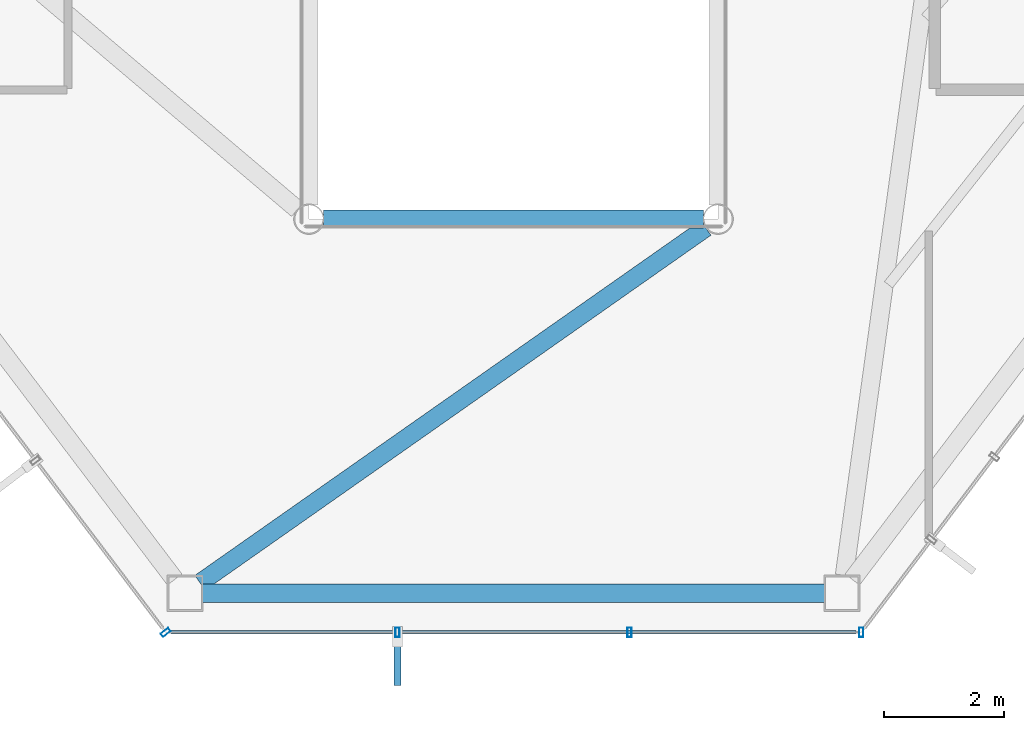
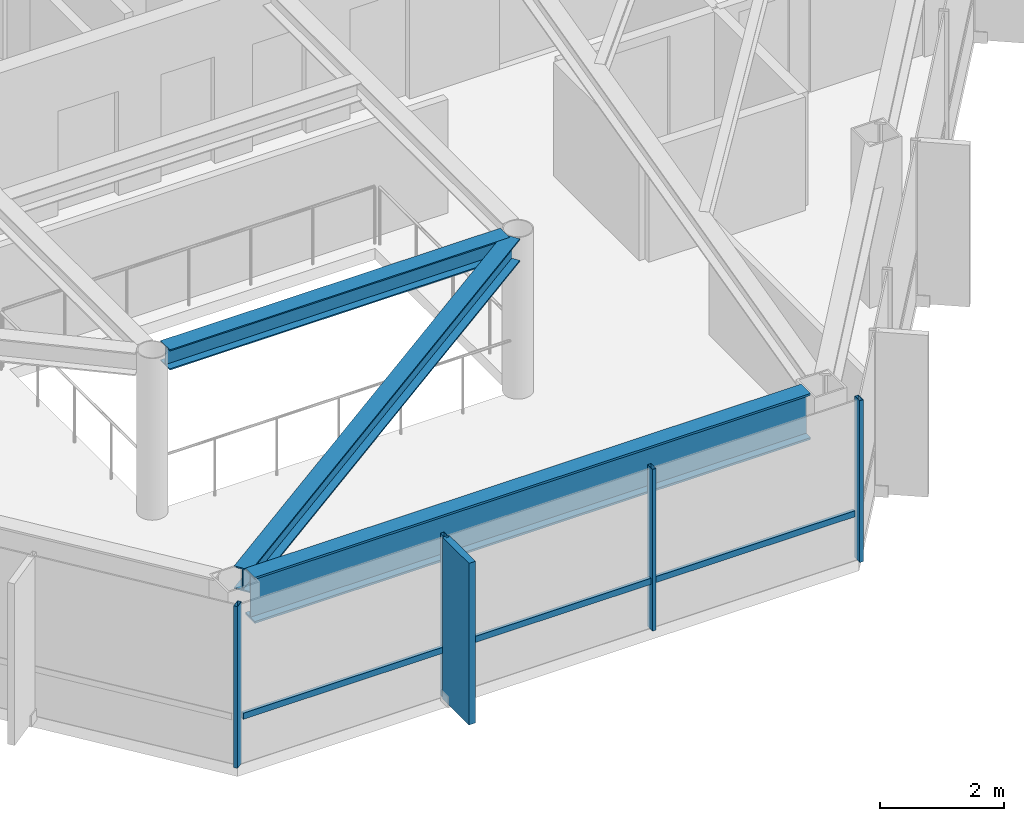
# One storey, part 7 of 27: 6 members, 3 beams, 2 elements without a shape of their own.
"""IFC4 building model written with IfcOpenShell, lengths in metres."""

from ifc_helpers import new_model, si_unit, direction, frame, origin, origin_2d, place, context, subcontext, project, spatial, rectangle, hollow_rectangle, i_section, extrude, material, layer, layer_set, material_profile, profile_set, type_object, element, aggregate, save


model = new_model("IFC4")

# Units and contexts
model_context = context("Model", 3, precision=1e-05, world=origin(), true_north=direction((0.0, 1.0)))
body_context = subcontext(model_context, "Body", "Model", "MODEL_VIEW")
ifc_project = project(units=[si_unit("LENGTHUNIT", "METRE"), si_unit("AREAUNIT", "SQUARE_METRE"), si_unit("VOLUMEUNIT", "CUBIC_METRE"), si_unit("PLANEANGLEUNIT", "RADIAN"), si_unit("MASSUNIT", "GRAM", prefix="KILO")], contexts=[model_context])

# Site, building, storey
site_placement = place(None, origin())
site = spatial("IfcSite", under=ifc_project, at=site_placement, CompositionType="ELEMENT")
building_placement = place(site_placement, origin())
building = spatial("IfcBuilding", under=site, at=building_placement, Name="Zarrinselat Tower", CompositionType="ELEMENT")
storey_placement = place(building_placement, frame((0.0, 0.0, 232.56005859375)))
storey = spatial("IfcBuildingStorey", under=building, at=storey_placement, Name="L58", CompositionType="ELEMENT", Elevation=232.56005859375)

# Beams
ifc_material_1 = material(Name="Steel S355J2", Category="steel")
ifc_material_profile_1 = material_profile(ifc_material_1, i_section(OverallWidth=0.300048828125, OverallDepth=0.39990234375, WebThickness=0.013427734375, FlangeThickness=0.02392578125, at=origin_2d()), Name="HEB 400")
ifc_profile_set_1 = profile_set([ifc_material_profile_1], Name="Steel S355J2")
beam_type_1 = type_object("IfcBeamType", Name="BM-HEB400", PredefinedType="BEAM", material=ifc_profile_set_1)
beam_1_placement = place(storey_placement, frame((35.239990234375, 25.199951171875, 2.97998046875), z_axis=(1.0, 0.0, 0.0), x_axis=(0.0, 1.0, 0.0)))
element("IfcBeam", 1, at=beam_1_placement, inside=storey, type_object=beam_type_1, Name="L58 Atrium Edge Beam S", PredefinedType="BEAM", context=body_context, shape_type="SweptSolid", body=[
    extrude(i_section(OverallWidth=0.300048828125, OverallDepth=0.39990234375, WebThickness=0.013427734375, FlangeThickness=0.02392578125, at=origin_2d()), origin(), (0.0, 0.0, 1.0), 6.320068359375),
])
ifc_material_2 = material(Name="Steel S355J2", Category="steel")
ifc_material_profile_2 = material_profile(ifc_material_2, i_section(OverallWidth=0.300048828125, OverallDepth=0.449951171875, WebThickness=0.013916015625, FlangeThickness=0.02587890625, at=origin_2d()), Name="HEB 450")
ifc_profile_set_2 = profile_set([ifc_material_profile_2], Name="Steel S355J2")
beam_type_2 = type_object("IfcBeamType", Name="BM-HEB450", PredefinedType="BEAM", material=ifc_profile_set_2)
beam_2_placement = place(storey_placement, frame((33.190185546875, 19.157470703125, 2.954833984375), z_axis=(0.818534333595, 0.574457609164, 0.0), x_axis=(-0.574457609164, 0.818534333595, 0.0)))
element("IfcBeam", 2, at=beam_2_placement, inside=storey, type_object=beam_type_2, Name="L58 Radial Primary Girder RG10", PredefinedType="BEAM", context=body_context, shape_type="SweptSolid", body=[
    extrude(i_section(OverallWidth=0.300048828125, OverallDepth=0.449951171875, WebThickness=0.013916015625, FlangeThickness=0.02587890625, at=origin_2d()), origin(), (0.0, 0.0, 1.0), 10.268798828125),
])
ifc_material_3 = material(Name="Steel S460M", Category="steel")
ifc_material_profile_3 = material_profile(ifc_material_3, i_section(OverallWidth=0.302001953125, OverallDepth=0.909912109375, WebThickness=0.02099609375, FlangeThickness=0.0400390625, at=origin_2d()), Name="HEM 900")
ifc_profile_set_3 = profile_set([ifc_material_profile_3], Name="Steel S460M")
beam_type_3 = type_object("IfcBeamType", Name="BM-HEM900", PredefinedType="BEAM", material=ifc_profile_set_3)
beam_3_placement = place(storey_placement, frame((33.23095703125, 18.98388671875, 2.724853515625), z_axis=(1.0, 0.0, 0.0), x_axis=(0.0, 1.0, 0.0)))
element("IfcBeam", 3, at=beam_3_placement, inside=storey, type_object=beam_type_3, Name="L58 Perimeter Spandrel Girder SP10", PredefinedType="BEAM", context=body_context, shape_type="SweptSolid", body=[
    extrude(i_section(OverallWidth=0.302001953125, OverallDepth=0.909912109375, WebThickness=0.02099609375, FlangeThickness=0.0400390625, at=origin_2d()), origin(), (0.0, 0.0, 1.0), 10.338134765625),
])

# Curtain wall, member
ifc_material_4 = material(Name="Extruded Aluminium Alloy EN AW-6063 T6", Category="aluminium")
ifc_layer = layer(ifc_material_4, 0.169921875)
ifc_layer_set = layer_set([ifc_layer], Name="Extruded Aluminium Alloy EN AW-6063 T6")
curtain_wall_type = type_object("IfcCurtainWallType", Name="CWS-RES", PredefinedType="NOTDEFINED", material=ifc_layer_set)
curtain_wall_1_placement = place(storey_placement, origin())
curtain_wall_1 = element("IfcCurtainWall", 4, at=curtain_wall_1_placement, inside=storey, type_object=curtain_wall_type, Name="L58 Unitised Curtain Wall CW-L58-E03", PredefinedType="NOTDEFINED")
ifc_material_5 = material(Name="Extruded Aluminium Alloy EN AW-6063 T6", Category="aluminium")
ifc_material_profile_4 = material_profile(ifc_material_5, hollow_rectangle(XDim=0.070068359375, YDim=0.159912109375, WallThickness=0.00390625, at=origin_2d()), Name="RHS 160x70x4")
ifc_profile_set_4 = profile_set([ifc_material_profile_4], Name="Extruded Aluminium Alloy EN AW-6063 T6")
member_type_1 = type_object("IfcMemberType", Name="MEM-CW-MUL2", PredefinedType="MULLION", material=ifc_profile_set_4)
member_1_placement = place(storey_placement, frame((32.6201171875, 18.333984375, 0.0), z_axis=(0.0, 0.0, 1.0), x_axis=(0.603857419315, -0.7970923517, 0.0)))
member_1 = element("IfcMember", 5, at=member_1_placement, type_object=member_type_1, Name="CW-L58-E03 Mullion 8", PredefinedType="MULLION", context=body_context, shape_type="SweptSolid", body=[
    extrude(hollow_rectangle(XDim=0.070068359375, YDim=0.159912109375, WallThickness=0.00390625, at=origin_2d()), origin(), (0.0, 0.0, 1.0), 3.179931640625),
])
aggregate(curtain_wall_1, [member_1])

# Curtain wall, members
curtain_wall_2_placement = place(storey_placement, origin())
curtain_wall_2 = element("IfcCurtainWall", 6, at=curtain_wall_2_placement, inside=storey, type_object=curtain_wall_type, Name="L58 Unitised Curtain Wall CW-L58-E04", PredefinedType="NOTDEFINED")
member_2_placement = place(storey_placement, frame((36.473388671875, 18.333984375, 0.0), z_axis=(0.0, 0.0, 1.0), x_axis=(1.0, 0.0, 0.0)))
member_2 = element("IfcMember", 7, at=member_2_placement, type_object=member_type_1, Name="CW-L58-E04 Mullion 1", PredefinedType="MULLION", context=body_context, shape_type="SweptSolid", body=[
    extrude(hollow_rectangle(XDim=0.070068359375, YDim=0.159912109375, WallThickness=0.00390625, at=origin_2d()), origin(), (0.0, 0.0, 1.0), 3.179931640625),
])
member_3_placement = place(storey_placement, frame((40.32666015625, 18.333984375, 0.0), z_axis=(0.0, 0.0, 1.0), x_axis=(1.0, 0.0, 0.0)))
member_3 = element("IfcMember", 8, at=member_3_placement, type_object=member_type_1, Name="CW-L58-E04 Mullion 2", PredefinedType="MULLION", context=body_context, shape_type="SweptSolid", body=[
    extrude(hollow_rectangle(XDim=0.070068359375, YDim=0.159912109375, WallThickness=0.00390625, at=origin_2d()), origin(), (0.0, 0.0, 1.0), 3.179931640625),
])
member_4_placement = place(storey_placement, frame((44.179931640625, 18.333984375, 0.0), z_axis=(0.0, 0.0, 1.0), x_axis=(1.0, 0.0, 0.0)))
member_4 = element("IfcMember", 9, at=member_4_placement, type_object=member_type_1, Name="CW-L58-E04 Mullion 3", PredefinedType="MULLION", context=body_context, shape_type="SweptSolid", body=[
    extrude(hollow_rectangle(XDim=0.070068359375, YDim=0.159912109375, WallThickness=0.00390625, at=origin_2d()), origin(), (0.0, 0.0, 1.0), 3.179931640625),
])
ifc_material_6 = material(Name="Extruded Aluminium Alloy EN AW-6063 T6", Category="aluminium")
ifc_material_profile_5 = material_profile(ifc_material_6, hollow_rectangle(XDim=0.06005859375, YDim=0.1201171875, WallThickness=0.00390625, at=origin_2d()), Name="RHS 120x60x4")
ifc_profile_set_5 = profile_set([ifc_material_profile_5], Name="Extruded Aluminium Alloy EN AW-6063 T6")
member_type_2 = type_object("IfcMemberType", Name="MEM-CW-TRN2", PredefinedType="USERDEFINED", material=ifc_profile_set_5)
member_5_placement = place(storey_placement, frame((32.7099609375, 18.333984375, 0.949951171875), z_axis=(1.0, 0.0, 0.0), x_axis=(0.0, 1.0, 0.0)))
member_5 = element("IfcMember", 10, at=member_5_placement, type_object=member_type_2, Name="CW-L58-E04 Transom 1", ObjectType="TRANSOM", PredefinedType="USERDEFINED", context=body_context, shape_type="SweptSolid", body=[
    extrude(hollow_rectangle(XDim=0.06005859375, YDim=0.1201171875, WallThickness=0.00390625, at=origin_2d()), origin(), (0.0, 0.0, 1.0), 11.380126953125),
])
ifc_material_7 = material(Name="Honed Cream Travertine Stone", Category="masonry")
ifc_material_profile_6 = material_profile(ifc_material_7, rectangle(XDim=0.1201171875, YDim=0.85009765625, at=origin_2d()), Name="FIN 850x120")
ifc_profile_set_6 = profile_set([ifc_material_profile_6], Name="Honed Cream Travertine Stone")
member_type_3 = type_object("IfcMemberType", Name="MEM-STONE-FIN", PredefinedType="USERDEFINED", material=ifc_profile_set_6)
member_6_placement = place(storey_placement, frame((36.473388671875, 17.8740234375, 0.0), z_axis=(0.0, 0.0, 1.0), x_axis=(-1.0, 0.0, 0.0)))
member_6 = element("IfcMember", 11, at=member_6_placement, type_object=member_type_3, Name="L58 Stone Shading Fin CW-L58-E04-01", ObjectType="FIN", PredefinedType="USERDEFINED", context=body_context, shape_type="SweptSolid", body=[
    extrude(rectangle(XDim=0.1201171875, YDim=0.85009765625, at=origin_2d()), origin(), (0.0, 0.0, 1.0), 3.179931640625),
])
aggregate(curtain_wall_2, [member_2, member_6, member_3, member_4, member_5])

save(model, "model.ifc")
